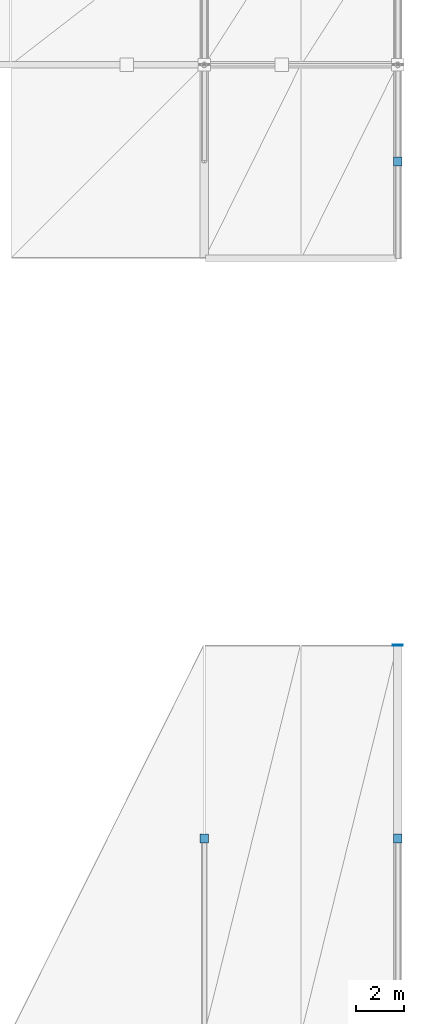
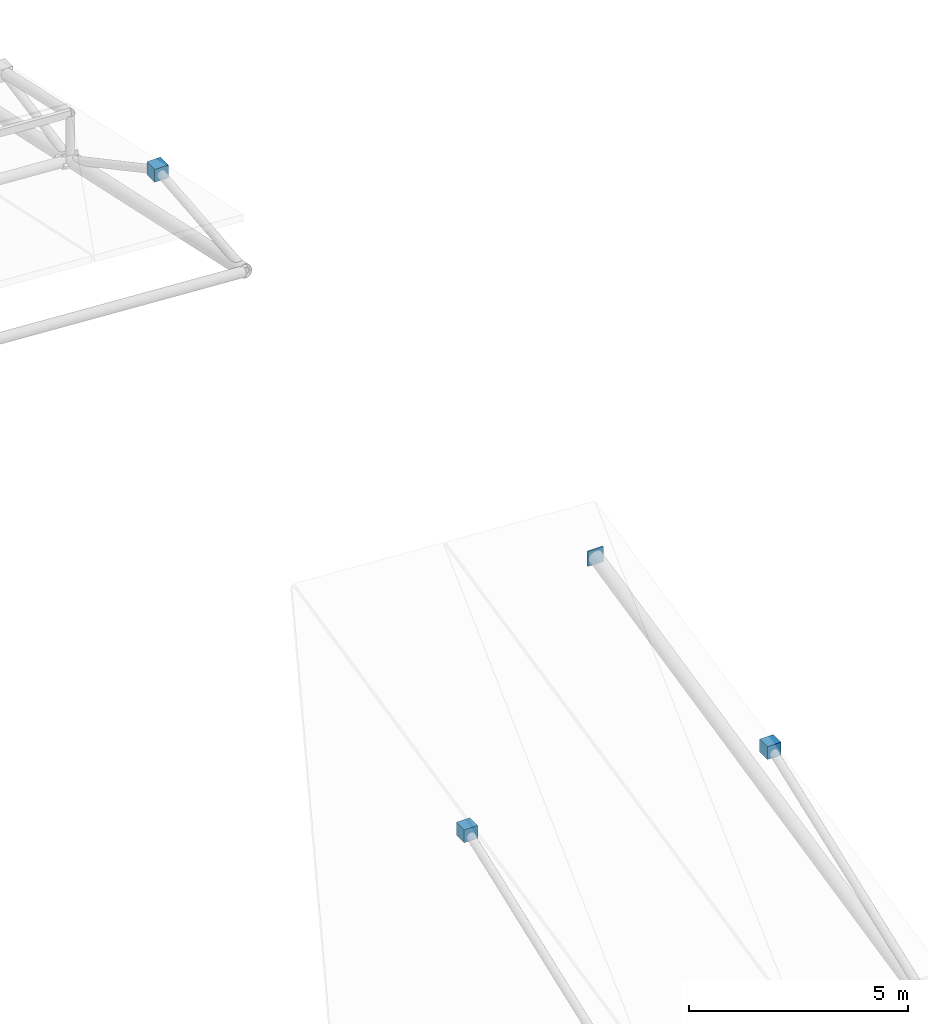
# One storey, part 73 of 83: 4 discrete accessories.
"""IFC4 building model written with IfcOpenShell, lengths in metres."""

from ifc_helpers import new_model, si_unit, direction, frame, origin, origin_2d, place, context, subcontext, project, spatial, rectangle, extrude, material, type_object, element, save


model = new_model("IFC4")

# Units and contexts
model_context = context("Model", 3, precision=1e-05, world=origin(), true_north=direction((0.0, 1.0)))
body_context = subcontext(model_context, "Body", "Model", "MODEL_VIEW")
ifc_project = project(units=[si_unit("LENGTHUNIT", "METRE"), si_unit("AREAUNIT", "SQUARE_METRE"), si_unit("VOLUMEUNIT", "CUBIC_METRE"), si_unit("PLANEANGLEUNIT", "RADIAN"), si_unit("MASSUNIT", "GRAM", prefix="KILO")], contexts=[model_context])

# Site, building, storey
site_placement = place(None, origin())
site = spatial("IfcSite", under=ifc_project, at=site_placement, CompositionType="ELEMENT")
building_placement = place(site_placement, origin())
building = spatial("IfcBuilding", under=site, at=building_placement, Name="Drelvath Fold Interchange", CompositionType="ELEMENT")
storey_placement = place(building_placement, frame((0.0, 0.0, 11.199951171875)))
storey = spatial("IfcBuildingStorey", under=building, at=storey_placement, Name="L02", CompositionType="ELEMENT", Elevation=11.199951171875)

# Discrete accessories
ifc_material = material(Name="Steel ASTM A572 Grade 50", Category="steel")
discrete_accessory_type = type_object("IfcDiscreteAccessoryType", Name="AC-CAP380", PredefinedType="BRACKET", material=ifc_material)
discrete_accessory_1_placement = place(storey_placement, frame((166.0, 35.0048828125, 5.486572265625), z_axis=(0.0, 0.0, 1.0), x_axis=(1.0, 0.0, 0.0)))
element("IfcDiscreteAccessory", 1, at=discrete_accessory_1_placement, inside=storey, type_object=discrete_accessory_type, Name="Welded hollow member end cap 251", PredefinedType="BRACKET", context=body_context, shape_type="SweptSolid", body=[
    extrude(rectangle(XDim=0.35888671875, YDim=0.35888671875, at=origin_2d()), origin(), (0.0, 0.0, 1.0), 0.35888671875),
])
discrete_accessory_2_placement = place(storey_placement, frame((174.0, 43.0048828125, 5.449951171875), z_axis=(0.0, 0.0, 1.0), x_axis=(1.0, 0.0, 0.0)))
element("IfcDiscreteAccessory", 2, at=discrete_accessory_2_placement, inside=storey, type_object=discrete_accessory_type, Name="Welded hollow member end cap 266", PredefinedType="BRACKET", context=body_context, shape_type="SweptSolid", body=[
    extrude(rectangle(XDim=0.416015625, YDim=0.0400390625, at=origin_2d()), origin(), (0.0, 0.0, 1.0), 0.416015625),
])
for number, where, z_axis, x_axis, name in (
    (3, (174.0, 35.0048828125, 5.005615234375), (0.0, 0.0, 1.0), (1.0, 0.0, 0.0), "Welded hollow member end cap 267"),
    (4, (174.0, 63.0048828125, 4.131591796875), (0.0, 0.0, 1.0), (1.0, 0.0, 0.0), "Welded hollow member end cap 274"),
):
    element("IfcDiscreteAccessory", number, at=place(storey_placement, frame(where, z_axis=z_axis, x_axis=x_axis)), inside=storey, type_object=discrete_accessory_type, Name=name, PredefinedType="BRACKET", context=body_context, shape_type="SweptSolid", body=[
        extrude(rectangle(XDim=0.35888671875, YDim=0.35888671875, at=origin_2d()), origin(), (0.0, 0.0, 1.0), 0.35888671875),
    ])

save(model, "model.ifc")
